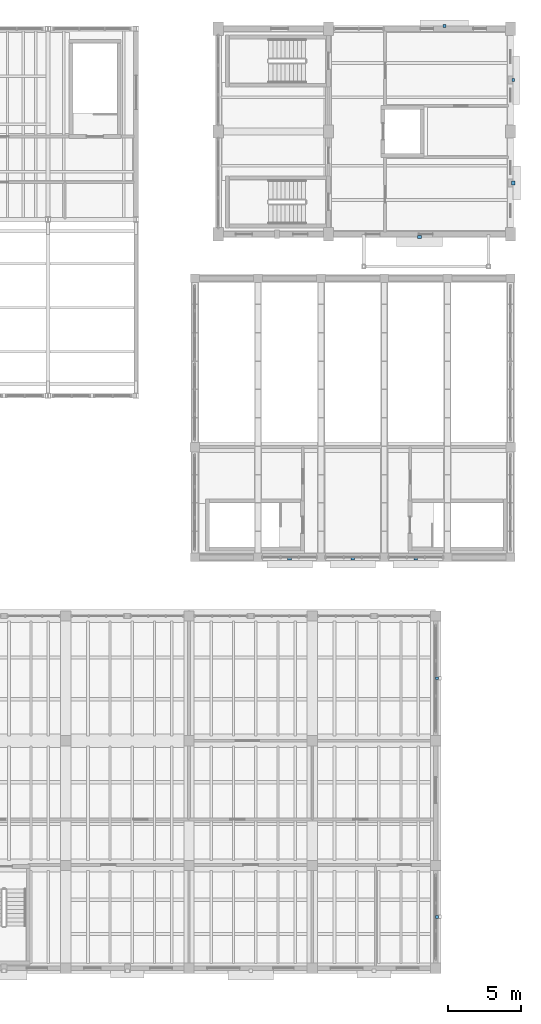
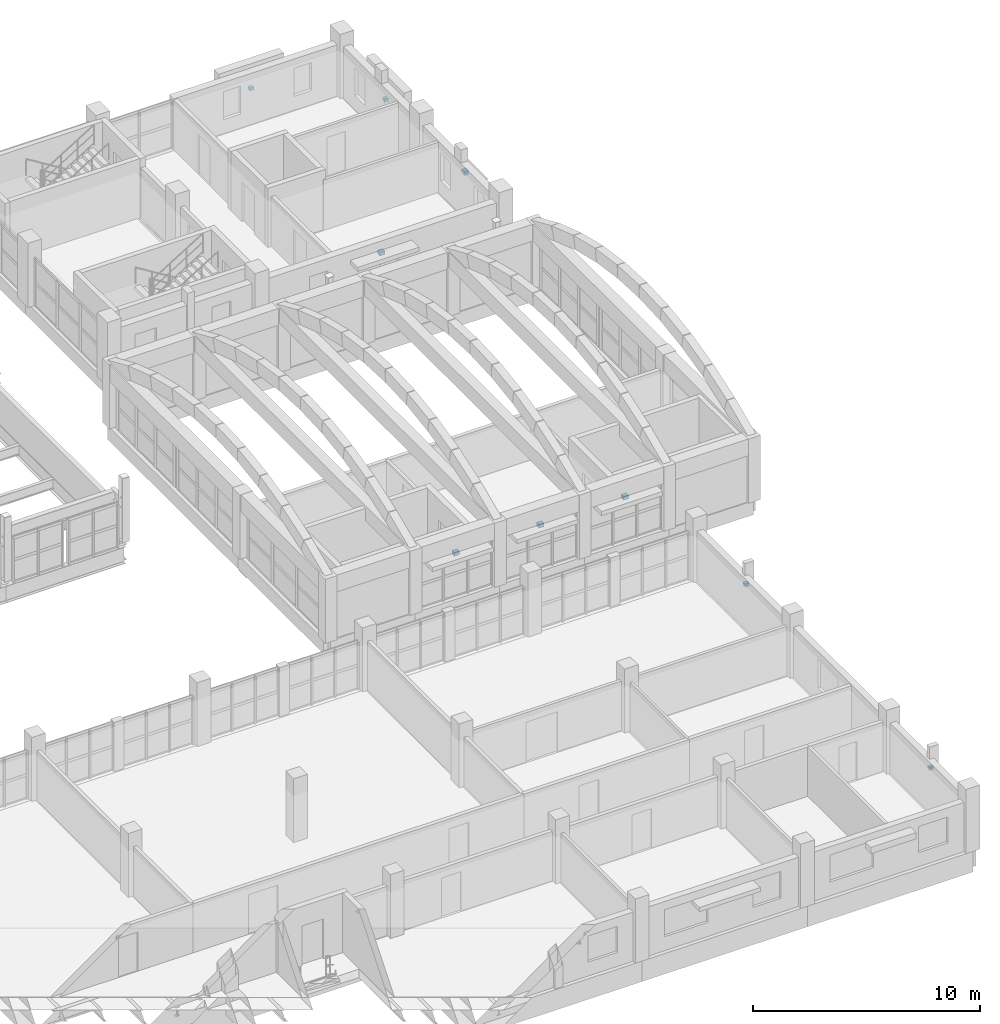
# One storey, part 71 of 77: 9 discrete accessories.
"""IFC4 building model written with IfcOpenShell, lengths in metres."""

from ifc_helpers import new_model, si_unit, direction, frame, origin, origin_2d, place, context, subcontext, project, spatial, rectangle, extrude, material, type_object, element, save


model = new_model("IFC4")

# Units and contexts
model_context = context("Model", 3, precision=1e-05, world=origin(), true_north=direction((0.0, 1.0)))
body_context = subcontext(model_context, "Body", "Model", "MODEL_VIEW")
ifc_project = project(units=[si_unit("LENGTHUNIT", "METRE"), si_unit("AREAUNIT", "SQUARE_METRE"), si_unit("VOLUMEUNIT", "CUBIC_METRE"), si_unit("PLANEANGLEUNIT", "RADIAN"), si_unit("MASSUNIT", "GRAM", prefix="KILO")], contexts=[model_context])

# Site, building, storey
site_placement = place(None, origin())
site = spatial("IfcSite", under=ifc_project, at=site_placement, CompositionType="ELEMENT")
building_placement = place(site_placement, origin())
building = spatial("IfcBuilding", under=site, at=building_placement, Name="Trellovar Central Fire Station", CompositionType="ELEMENT")
storey_placement = place(building_placement, frame((0.0, 0.0, 5.85009765625)))
storey = spatial("IfcBuildingStorey", under=building, at=storey_placement, Name="L02", CompositionType="ELEMENT", Elevation=5.85009765625)

# Discrete accessories
ifc_material_1 = material(Name="Patina bronze wrought metalwork", Category="metal")
discrete_accessory_type_1 = type_object("IfcDiscreteAccessoryType", Name="ACC-BRK1", PredefinedType="BRACKET", material=ifc_material_1)
for number, where, z_axis, x_axis, name in (
    (1, (145.949951171875, 36.919921875, 2.2998046875), (0.0, 0.0, 1.0), (1.0, 0.0, 0.0), "L02 bronze shade mounting bracket 97"),
    (2, (150.25, 36.919921875, 2.2998046875), (0.0, 0.0, 1.0), (1.0, 0.0, 0.0), "L02 bronze shade mounting bracket 98"),
    (3, (154.550048828125, 36.919921875, 2.2998046875), (0.0, 0.0, 1.0), (1.0, 0.0, 0.0), "L02 bronze shade mounting bracket 99"),
    (4, (154.800048828125, 58.81005859375, 2.0498046875), (0.0, 0.0, 1.0), (1.0, 0.0, 0.0), "L02 bronze shade mounting bracket 107"),
    (5, (161.18994140625, 62.5, 1.89990234375), (0.0, 0.0, 1.0), (0.0, 1.0, 0.0), "L02 bronze shade mounting bracket 109"),
):
    element("IfcDiscreteAccessory", number, at=place(storey_placement, frame(where, z_axis=z_axis, x_axis=x_axis)), inside=storey, type_object=discrete_accessory_type_1, Name=name, PredefinedType="BRACKET", context=body_context, shape_type="SweptSolid", body=[
        extrude(rectangle(XDim=0.260009765625, YDim=0.219970703125, at=origin_2d()), origin(), (0.0, 0.0, 1.0), 0.199951171875),
    ])
ifc_material_2 = material(Name="Patina bronze wrought metalwork", Category="metal")
discrete_accessory_type_2 = type_object("IfcDiscreteAccessoryType", Name="ACC-BRK2", PredefinedType="BRACKET", material=ifc_material_2)
for number, where, z_axis, x_axis, name in (
    (6, (155.97998046875, 12.5, 2.06982421875), (0.0, 0.0, 1.0), (1.0, 0.0, 0.0), "L02 bronze shade mounting bracket 76"),
    (7, (155.97998046875, 28.75, 2.06982421875), (0.0, 0.0, 1.0), (1.0, 0.0, 0.0), "L02 bronze shade mounting bracket 77"),
    (8, (156.5, 73.18994140625, 1.56982421875), (0.0, 0.0, 1.0), (1.0, 0.0, 0.0), "L02 bronze shade mounting bracket 108"),
    (9, (161.18994140625, 69.5, 1.56982421875), (0.0, 0.0, 1.0), (0.0, 1.0, 0.0), "L02 bronze shade mounting bracket 110"),
):
    element("IfcDiscreteAccessory", number, at=place(storey_placement, frame(where, z_axis=z_axis, x_axis=x_axis)), inside=storey, type_object=discrete_accessory_type_2, Name=name, PredefinedType="BRACKET", context=body_context, shape_type="SweptSolid", body=[
        extrude(rectangle(XDim=0.199951171875, YDim=0.179931640625, at=origin_2d()), origin(), (0.0, 0.0, 1.0), 0.159912109375),
    ])

save(model, "model.ifc")
